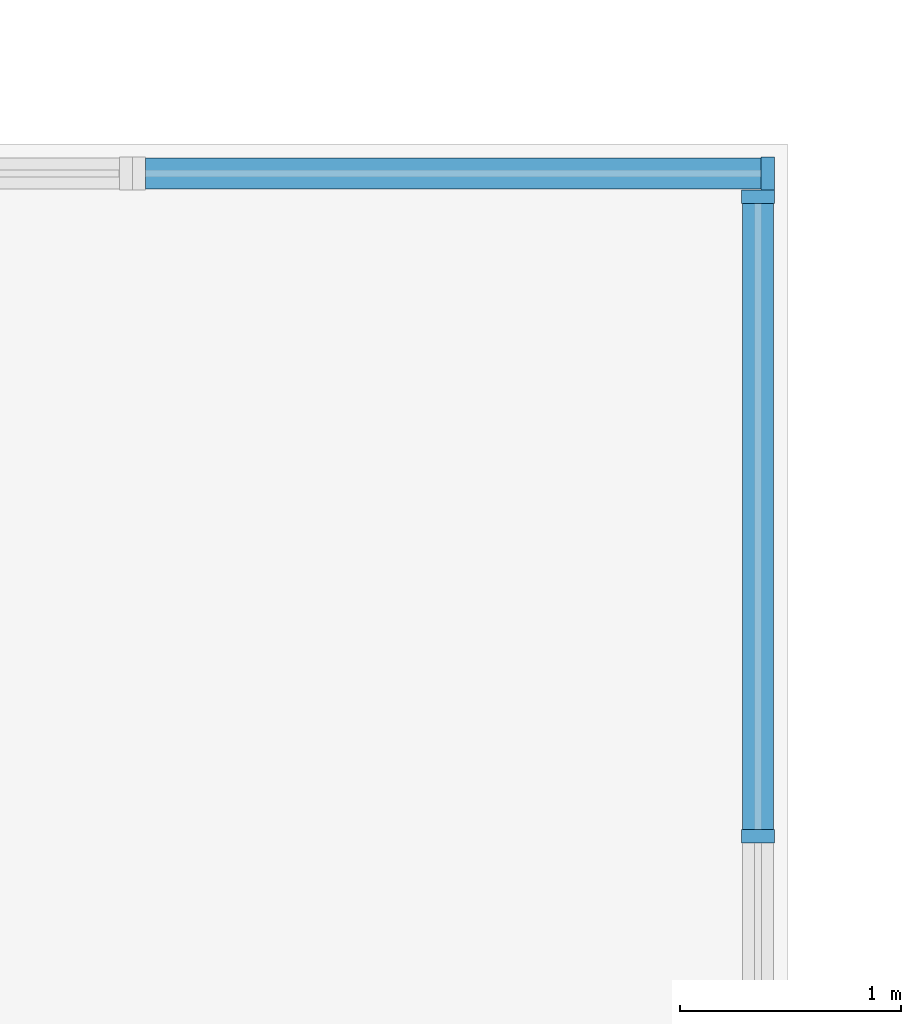
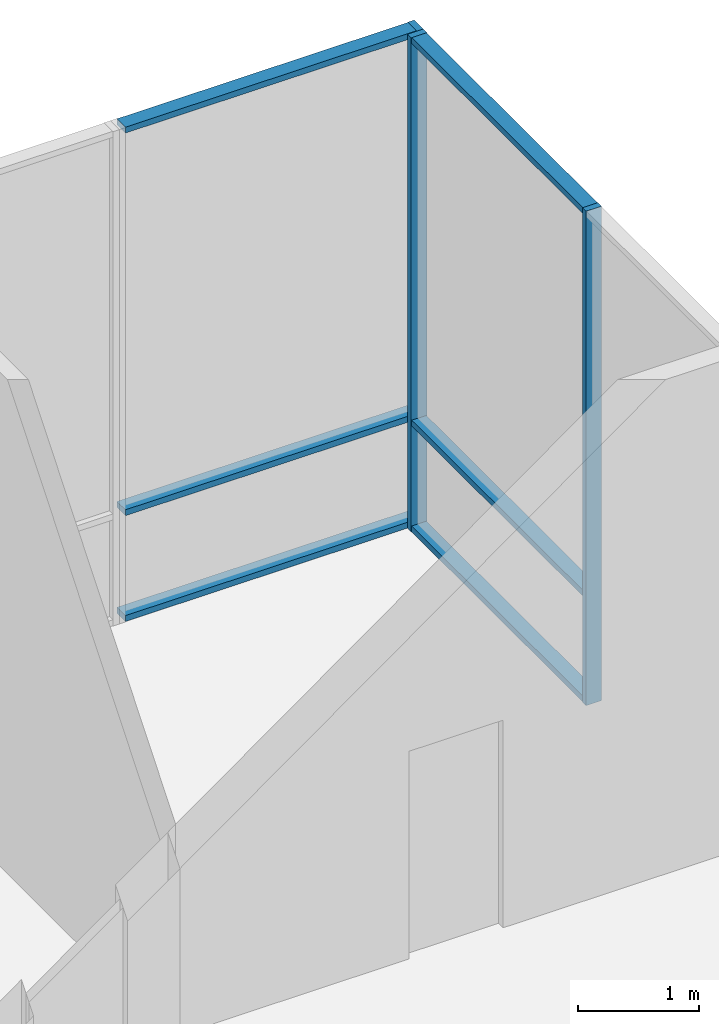
# One storey, part 8 of 15: 9 members, 2 elements without a shape of their own.
"""IFC4 building model written with IfcOpenShell, lengths in metres."""

from ifc_helpers import new_model, si_unit, direction, frame, origin, origin_2d, place, context, subcontext, project, spatial, rectangle, extrude, material, material_profile, profile_set, type_object, element, aggregate, save


model = new_model("IFC4")

# Units and contexts
model_context = context("Model", 3, precision=1e-05, world=origin(), true_north=direction((0.0, 1.0)))
body_context = subcontext(model_context, "Body", "Model", "MODEL_VIEW")
ifc_project = project(units=[si_unit("LENGTHUNIT", "METRE"), si_unit("AREAUNIT", "SQUARE_METRE"), si_unit("VOLUMEUNIT", "CUBIC_METRE"), si_unit("PLANEANGLEUNIT", "RADIAN"), si_unit("MASSUNIT", "GRAM", prefix="KILO")], contexts=[model_context])

# Site, building, storey
site_placement = place(None, origin())
site = spatial("IfcSite", under=ifc_project, at=site_placement, CompositionType="ELEMENT")
building_placement = place(site_placement, origin())
building = spatial("IfcBuilding", under=site, at=building_placement, Name="Kitamizu Gate Tower and Museum", CompositionType="ELEMENT")
storey_placement = place(building_placement, frame((0.0, 0.0, 277.949951171875)))
storey = spatial("IfcBuildingStorey", under=building, at=storey_placement, Name="L75", CompositionType="ELEMENT", Elevation=277.949951171875)

# Curtain wall, members
ifc_material_1 = material(Name="Bronze anodised aluminium frame, tinted triple glazing", Category="aluminium")
curtain_wall_type = type_object("IfcCurtainWallType", Name="CURTAIN WALL TYPE C SKY AMENITY", PredefinedType="NOTDEFINED", material=ifc_material_1)
curtain_wall_1_placement = place(storey_placement, origin())
curtain_wall_1 = element("IfcCurtainWall", 1, at=curtain_wall_1_placement, inside=storey, type_object=curtain_wall_type, Name="Curtain wall CW-C east L75", PredefinedType="NOTDEFINED")
ifc_material_2 = material(Name="Bronze anodised aluminium", Category="aluminium")
ifc_material_profile_1 = material_profile(ifc_material_2, rectangle(XDim=0.06005859375, YDim=0.14990234375, at=origin_2d()), Name="AL 60X150")
ifc_profile_set_1 = profile_set([ifc_material_profile_1], Name="Bronze anodised aluminium")
member_type_1 = type_object("IfcMemberType", Name="MULLION 60 X 150 TYPE C", PredefinedType="MULLION", material=ifc_profile_set_1)
member_1_placement = place(storey_placement, frame((53.364990234375, 44.364990234375, 0.0), z_axis=(0.0, 0.0, 1.0), x_axis=(0.0, 1.0, 0.0)))
member_1 = element("IfcMember", 2, at=member_1_placement, type_object=member_type_1, Name="CW-C mullion 2", PredefinedType="MULLION", context=body_context, shape_type="SweptSolid", body=[
    extrude(rectangle(XDim=0.06005859375, YDim=0.14990234375, at=origin_2d()), origin(), (0.0, 0.0, 1.0), 5.0),
])
member_2_placement = place(storey_placement, frame((53.364990234375, 47.260009765625, 0.0), z_axis=(0.0, 0.0, 1.0), x_axis=(0.0, 1.0, 0.0)))
member_2 = element("IfcMember", 3, at=member_2_placement, type_object=member_type_1, Name="CW-C mullion 3", PredefinedType="MULLION", context=body_context, shape_type="SweptSolid", body=[
    extrude(rectangle(XDim=0.06005859375, YDim=0.14990234375, at=origin_2d()), origin(), (0.0, 0.0, 1.0), 5.0),
])

# Curtain wall, member
curtain_wall_2_placement = place(storey_placement, origin())
curtain_wall_2 = element("IfcCurtainWall", 4, at=curtain_wall_2_placement, inside=storey, type_object=curtain_wall_type, Name="Curtain wall CW-C north L75 part 7", PredefinedType="NOTDEFINED")
member_3_placement = place(storey_placement, frame((53.409912109375, 47.364990234375, 0.0), z_axis=(0.0, 0.0, 1.0), x_axis=(1.0, 0.0, 0.0)))
member_3 = element("IfcMember", 5, at=member_3_placement, type_object=member_type_1, Name="CW-C mullion 2", PredefinedType="MULLION", context=body_context, shape_type="SweptSolid", body=[
    extrude(rectangle(XDim=0.06005859375, YDim=0.14990234375, at=origin_2d()), origin(), (0.0, 0.0, 1.0), 5.0),
])

# Member
ifc_material_3 = material(Name="Bronze anodised aluminium", Category="aluminium")
ifc_material_profile_2 = material_profile(ifc_material_3, rectangle(XDim=0.139892578125, YDim=0.06005859375, at=origin_2d()), Name="AL 60X140")
ifc_profile_set_2 = profile_set([ifc_material_profile_2], Name="Bronze anodised aluminium")
member_type_2 = type_object("IfcMemberType", Name="TRANSOM 60 X 140 TYPE C", PredefinedType="USERDEFINED", material=ifc_profile_set_2)
member_4_placement = place(storey_placement, frame((53.364990234375, 44.39501953125, 0.030029296875), z_axis=(0.0, 1.0, 0.0), x_axis=(-1.0, 0.0, 0.0)))
member_4 = element("IfcMember", 6, at=member_4_placement, type_object=member_type_2, Name="CW-C transom 2.1", ObjectType="TRANSOM", PredefinedType="USERDEFINED", context=body_context, shape_type="SweptSolid", body=[
    extrude(rectangle(XDim=0.139892578125, YDim=0.06005859375, at=origin_2d()), origin(), (0.0, 0.0, 1.0), 2.8349609375),
])

member_5_placement = place(storey_placement, frame((53.364990234375, 44.39501953125, 1.10009765625), z_axis=(0.0, 1.0, 0.0), x_axis=(-1.0, 0.0, 0.0)))
member_5 = element("IfcMember", 7, at=member_5_placement, type_object=member_type_2, Name="CW-C transom 2.2", ObjectType="TRANSOM", PredefinedType="USERDEFINED", context=body_context, shape_type="SweptSolid", body=[
    extrude(rectangle(XDim=0.139892578125, YDim=0.06005859375, at=origin_2d()), origin(), (0.0, 0.0, 1.0), 2.8349609375),
])

member_6_placement = place(storey_placement, frame((53.364990234375, 44.39501953125, 4.969970703125), z_axis=(0.0, 1.0, 0.0), x_axis=(-1.0, 0.0, 0.0)))
member_6 = element("IfcMember", 8, at=member_6_placement, type_object=member_type_2, Name="CW-C transom 2.3", ObjectType="TRANSOM", PredefinedType="USERDEFINED", context=body_context, shape_type="SweptSolid", body=[
    extrude(rectangle(XDim=0.139892578125, YDim=0.06005859375, at=origin_2d()), origin(), (0.0, 0.0, 1.0), 2.8349609375),
])

aggregate(curtain_wall_1, [member_1, member_2, member_4, member_5, member_6])

member_7_placement = place(storey_placement, frame((50.59326171875, 47.364990234375, 0.030029296875), z_axis=(1.0, 0.0, 0.0), x_axis=(0.0, 1.0, 0.0)))
member_7 = element("IfcMember", 9, at=member_7_placement, type_object=member_type_2, Name="CW-C transom 1.1", ObjectType="TRANSOM", PredefinedType="USERDEFINED", context=body_context, shape_type="SweptSolid", body=[
    extrude(rectangle(XDim=0.139892578125, YDim=0.06005859375, at=origin_2d()), origin(), (0.0, 0.0, 1.0), 2.78662109375),
])

member_8_placement = place(storey_placement, frame((50.59326171875, 47.364990234375, 1.10009765625), z_axis=(1.0, 0.0, 0.0), x_axis=(0.0, 1.0, 0.0)))
member_8 = element("IfcMember", 10, at=member_8_placement, type_object=member_type_2, Name="CW-C transom 1.2", ObjectType="TRANSOM", PredefinedType="USERDEFINED", context=body_context, shape_type="SweptSolid", body=[
    extrude(rectangle(XDim=0.139892578125, YDim=0.06005859375, at=origin_2d()), origin(), (0.0, 0.0, 1.0), 2.78662109375),
])

member_9_placement = place(storey_placement, frame((50.59326171875, 47.364990234375, 4.969970703125), z_axis=(1.0, 0.0, 0.0), x_axis=(0.0, 1.0, 0.0)))
member_9 = element("IfcMember", 11, at=member_9_placement, type_object=member_type_2, Name="CW-C transom 1.3", ObjectType="TRANSOM", PredefinedType="USERDEFINED", context=body_context, shape_type="SweptSolid", body=[
    extrude(rectangle(XDim=0.139892578125, YDim=0.06005859375, at=origin_2d()), origin(), (0.0, 0.0, 1.0), 2.78662109375),
])

aggregate(curtain_wall_2, [member_3, member_7, member_8, member_9])

save(model, "model.ifc")
